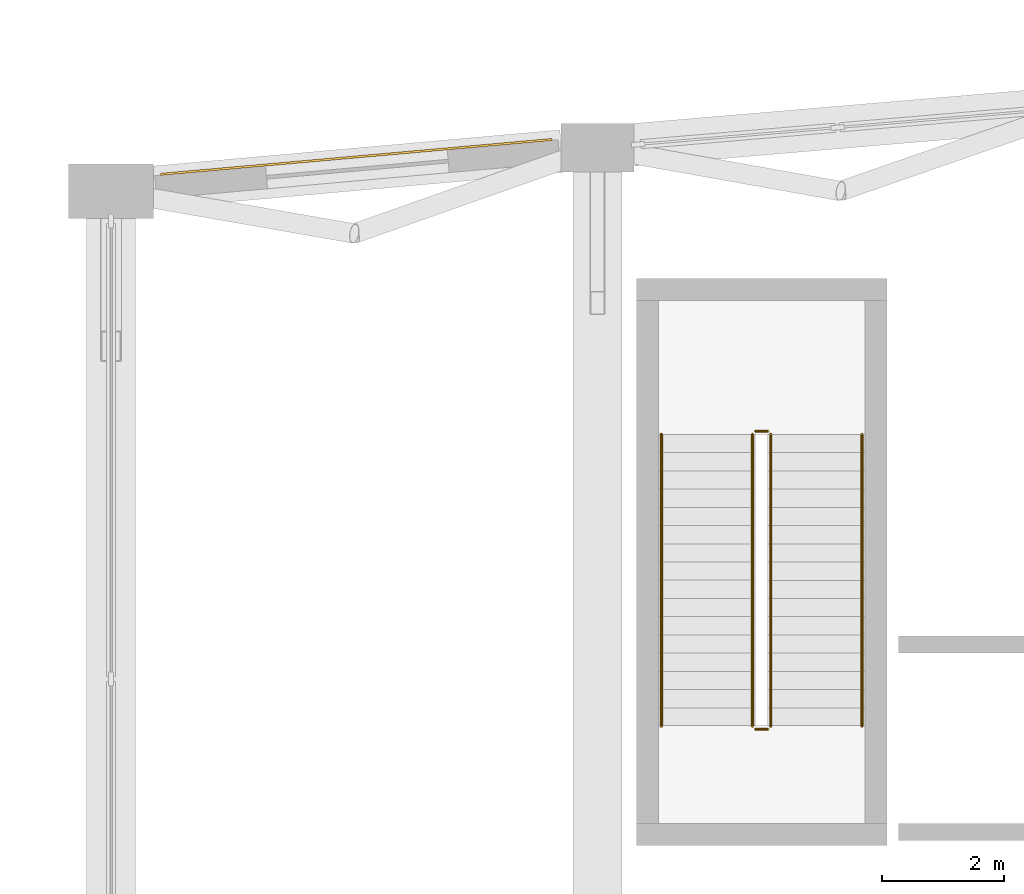
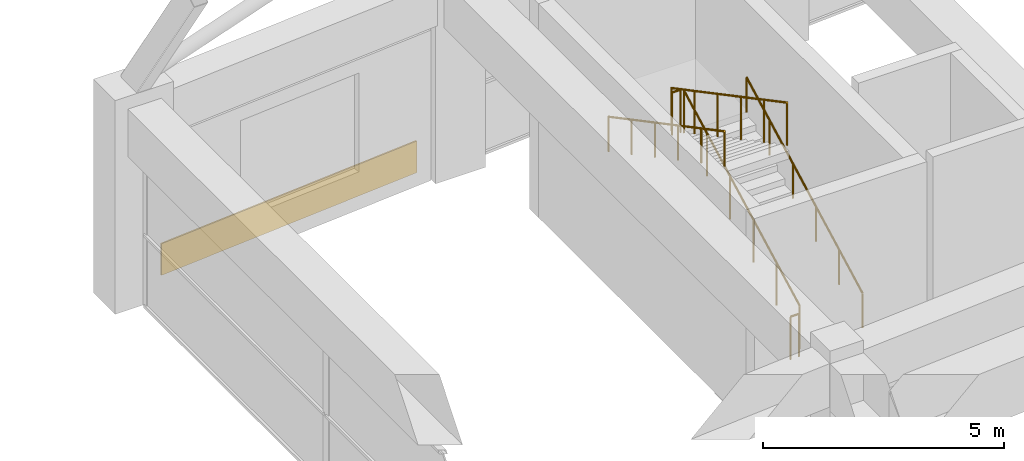
# One storey, part 64 of 69: 6 railings, 1 covering.
"""IFC4 building model written with IfcOpenShell, lengths in metres."""

from ifc_helpers import new_model, si_unit, direction, frame, origin, origin_2d, place, context, subcontext, project, spatial, rectangle, circle, extrude, material, layer, layer_set, type_object, element, save


model = new_model("IFC4")

# Units and contexts
model_context = context("Model", 3, precision=1e-05, world=origin(), true_north=direction((0.0, 1.0)))
body_context = subcontext(model_context, "Body", "Model", "MODEL_VIEW")
ifc_project = project(units=[si_unit("LENGTHUNIT", "METRE"), si_unit("AREAUNIT", "SQUARE_METRE"), si_unit("VOLUMEUNIT", "CUBIC_METRE"), si_unit("PLANEANGLEUNIT", "RADIAN"), si_unit("MASSUNIT", "GRAM", prefix="KILO")], contexts=[model_context])

# Site, building, storey
site_placement = place(None, origin())
site = spatial("IfcSite", under=ifc_project, at=site_placement, CompositionType="ELEMENT")
building_placement = place(site_placement, origin())
building = spatial("IfcBuilding", under=site, at=building_placement, Name="Kenh Van Central Station", CompositionType="ELEMENT")
storey_placement = place(building_placement, frame((0.0, 0.0, 5.39990234375)))
storey = spatial("IfcBuildingStorey", under=building, at=storey_placement, Name="L01", CompositionType="ELEMENT", Elevation=5.39990234375)

# Covering
ifc_material_1 = material(Name="Glazed terracotta rainscreen cladding", Category="masonry")
ifc_layer = layer(ifc_material_1, 0.034912109375, Name="Glazed terracotta rainscreen cladding")
ifc_layer_set = layer_set([ifc_layer], Name="Glazed terracotta rainscreen cladding")
covering_type = type_object("IfcCoveringType", Name="COV-CLAD-TERRA", PredefinedType="CLADDING", material=ifc_layer_set)
covering_placement = place(storey_placement, frame((36.03369140625, 112.5625, 0.02001953125), z_axis=(0.0, 0.0, 1.0), x_axis=(-0.996061982987, -0.088659607754, 0.0)))
element("IfcCovering", 1, at=covering_placement, inside=storey, type_object=covering_type, Name="L01 facade cladding 020", PredefinedType="CLADDING", context=body_context, shape_type="SweptSolid", body=[
    extrude(rectangle(XDim=6.46142578125, YDim=0.034912109375, at=origin_2d()), origin(), (0.0, 0.0, 1.0), 0.800048828125),
])

# Railings
ifc_material_2 = material(Name="Champagne anodised aluminium", Category="aluminium")
railing_type_1 = type_object("IfcRailingType", Name="RAIL-CORE-GRD110", PredefinedType="GUARDRAIL", material=ifc_material_2)
railing_1_placement = place(storey_placement, frame((42.85009765625, 103.199951171875, 0.158935546875)))
element("IfcRailing", 2, at=railing_1_placement, inside=storey, type_object=railing_type_1, Name="L01 ST-07 stair guard 1", PredefinedType="GUARDRAIL", context=body_context, shape_type="SweptSolid", body=[
    extrude(circle(Radius=0.02392578125, at=origin_2d()), frame((0.0, 0.0, 1.076171875), z_axis=(0.0, 0.883783542688, 0.467895981682), x_axis=(-1.0, 0.0, 0.0)), (0.0, 0.0, 1.0), 5.43115234375),
    extrude(circle(Radius=0.02099609375, at=origin_2d()), origin(), (0.0, 0.0, 1.0), 1.052001953125),
    extrude(circle(Radius=0.02099609375, at=origin_2d()), frame((0.0, 0.9599609375, 0.50830078125)), (0.0, 0.0, 1.0), 1.052001953125),
    extrude(circle(Radius=0.02099609375, at=origin_2d()), frame((0.0, 1.919921875, 1.0166015625)), (0.0, 0.0, 1.0), 1.052001953125),
    extrude(circle(Radius=0.02099609375, at=origin_2d()), frame((0.0, 2.880126953125, 1.524658203125)), (0.0, 0.0, 1.0), 1.052001953125),
    extrude(circle(Radius=0.02099609375, at=origin_2d()), frame((0.0, 3.840087890625, 2.032958984375)), (0.0, 0.0, 1.0), 1.052001953125),
    extrude(circle(Radius=0.02099609375, at=origin_2d()), frame((0.0, 4.800048828125, 2.541259765625)), (0.0, 0.0, 1.0), 1.052001953125),
])
railing_2_placement = place(storey_placement, frame((42.800048828125, 108.050048828125, 2.7001953125)))
element("IfcRailing", 3, at=railing_2_placement, inside=storey, type_object=railing_type_1, Name="L01 ST-07 stair guard 2", PredefinedType="GUARDRAIL", context=body_context, shape_type="SweptSolid", body=[
    extrude(circle(Radius=0.02392578125, at=origin_2d()), frame((0.0, 0.0, 1.076171875), z_axis=(-1.0, 0.0, 0.0), x_axis=(0.0, -1.0, 0.0)), (0.0, 0.0, 1.0), 0.199951171875),
    extrude(circle(Radius=0.02099609375, at=origin_2d()), origin(), (0.0, 0.0, 1.0), 1.052001953125),
    extrude(circle(Radius=0.02099609375, at=origin_2d()), frame((-0.199951171875, 0.0, 0.0)), (0.0, 0.0, 1.0), 1.052001953125),
])
railing_3_placement = place(storey_placement, frame((42.550048828125, 108.0, 2.85888671875)))
element("IfcRailing", 4, at=railing_3_placement, inside=storey, type_object=railing_type_1, Name="L01 ST-07 stair guard 3", PredefinedType="GUARDRAIL", context=body_context, shape_type="SweptSolid", body=[
    extrude(circle(Radius=0.02392578125, at=origin_2d()), frame((0.0, 0.0, 1.076171875), z_axis=(0.0, -0.883783542688, 0.467895981682), x_axis=(1.0, 0.0, 0.0)), (0.0, 0.0, 1.0), 5.43115234375),
    extrude(circle(Radius=0.02099609375, at=origin_2d()), origin(), (0.0, 0.0, 1.0), 1.052001953125),
    extrude(circle(Radius=0.02099609375, at=origin_2d()), frame((0.0, -0.9599609375, 0.50830078125)), (0.0, 0.0, 1.0), 1.052001953125),
    extrude(circle(Radius=0.02099609375, at=origin_2d()), frame((0.0, -1.919921875, 1.0166015625)), (0.0, 0.0, 1.0), 1.052001953125),
    extrude(circle(Radius=0.02099609375, at=origin_2d()), frame((0.0, -2.880126953125, 1.524658203125)), (0.0, 0.0, 1.0), 1.052001953125),
    extrude(circle(Radius=0.02099609375, at=origin_2d()), frame((0.0, -3.840087890625, 2.032958984375)), (0.0, 0.0, 1.0), 1.052001953125),
    extrude(circle(Radius=0.02099609375, at=origin_2d()), frame((0.0, -4.800048828125, 2.541259765625)), (0.0, 0.0, 1.0), 1.052001953125),
])
railing_4_placement = place(storey_placement, frame((42.800048828125, 103.14990234375, 0.0)))
element("IfcRailing", 5, at=railing_4_placement, inside=storey, type_object=railing_type_1, Name="L01 ST-07 stair guard 4", PredefinedType="GUARDRAIL", context=body_context, shape_type="SweptSolid", body=[
    extrude(circle(Radius=0.02392578125, at=origin_2d()), frame((0.0, 0.0, 1.076171875), z_axis=(-1.0, 0.0, 0.0), x_axis=(0.0, -1.0, 0.0)), (0.0, 0.0, 1.0), 0.199951171875),
    extrude(circle(Radius=0.02099609375, at=origin_2d()), origin(), (0.0, 0.0, 1.0), 1.052001953125),
    extrude(circle(Radius=0.02099609375, at=origin_2d()), frame((-0.199951171875, 0.0, 0.0)), (0.0, 0.0, 1.0), 1.052001953125),
])
railing_type_2 = type_object("IfcRailingType", Name="RAIL-CORE-HND90", PredefinedType="HANDRAIL", material=ifc_material_2)
railing_5_placement = place(storey_placement, frame((44.35009765625, 103.199951171875, 0.158935546875)))
element("IfcRailing", 6, at=railing_5_placement, inside=storey, type_object=railing_type_2, Name="L01 ST-07 stair handrail 1", PredefinedType="HANDRAIL", context=body_context, shape_type="SweptSolid", body=[
    extrude(circle(Radius=0.02392578125, at=origin_2d()), frame((0.0, 0.0, 0.8759765625), z_axis=(0.0, 0.883783542688, 0.467895981682), x_axis=(-1.0, 0.0, 0.0)), (0.0, 0.0, 1.0), 5.43115234375),
    extrude(circle(Radius=0.02099609375, at=origin_2d()), origin(), (0.0, 0.0, 1.0), 0.851806640625),
    extrude(circle(Radius=0.02099609375, at=origin_2d()), frame((0.0, 0.9599609375, 0.50830078125)), (0.0, 0.0, 1.0), 0.851806640625),
    extrude(circle(Radius=0.02099609375, at=origin_2d()), frame((0.0, 1.919921875, 1.0166015625)), (0.0, 0.0, 1.0), 0.851806640625),
    extrude(circle(Radius=0.02099609375, at=origin_2d()), frame((0.0, 2.880126953125, 1.524658203125)), (0.0, 0.0, 1.0), 0.851806640625),
    extrude(circle(Radius=0.02099609375, at=origin_2d()), frame((0.0, 3.840087890625, 2.032958984375)), (0.0, 0.0, 1.0), 0.851806640625),
    extrude(circle(Radius=0.02099609375, at=origin_2d()), frame((0.0, 4.800048828125, 2.541259765625)), (0.0, 0.0, 1.0), 0.851806640625),
])
railing_6_placement = place(storey_placement, frame((41.050048828125, 108.0, 2.85888671875)))
element("IfcRailing", 7, at=railing_6_placement, inside=storey, type_object=railing_type_2, Name="L01 ST-07 stair handrail 2", PredefinedType="HANDRAIL", context=body_context, shape_type="SweptSolid", body=[
    extrude(circle(Radius=0.02392578125, at=origin_2d()), frame((0.0, 0.0, 0.8759765625), z_axis=(0.0, -0.883783542688, 0.467895981682), x_axis=(1.0, 0.0, 0.0)), (0.0, 0.0, 1.0), 5.43115234375),
    extrude(circle(Radius=0.02099609375, at=origin_2d()), origin(), (0.0, 0.0, 1.0), 0.851806640625),
    extrude(circle(Radius=0.02099609375, at=origin_2d()), frame((0.0, -0.9599609375, 0.50830078125)), (0.0, 0.0, 1.0), 0.851806640625),
    extrude(circle(Radius=0.02099609375, at=origin_2d()), frame((0.0, -1.919921875, 1.0166015625)), (0.0, 0.0, 1.0), 0.851806640625),
    extrude(circle(Radius=0.02099609375, at=origin_2d()), frame((0.0, -2.880126953125, 1.524658203125)), (0.0, 0.0, 1.0), 0.851806640625),
    extrude(circle(Radius=0.02099609375, at=origin_2d()), frame((0.0, -3.840087890625, 2.032958984375)), (0.0, 0.0, 1.0), 0.851806640625),
    extrude(circle(Radius=0.02099609375, at=origin_2d()), frame((0.0, -4.800048828125, 2.541259765625)), (0.0, 0.0, 1.0), 0.851806640625),
])

save(model, "model.ifc")
